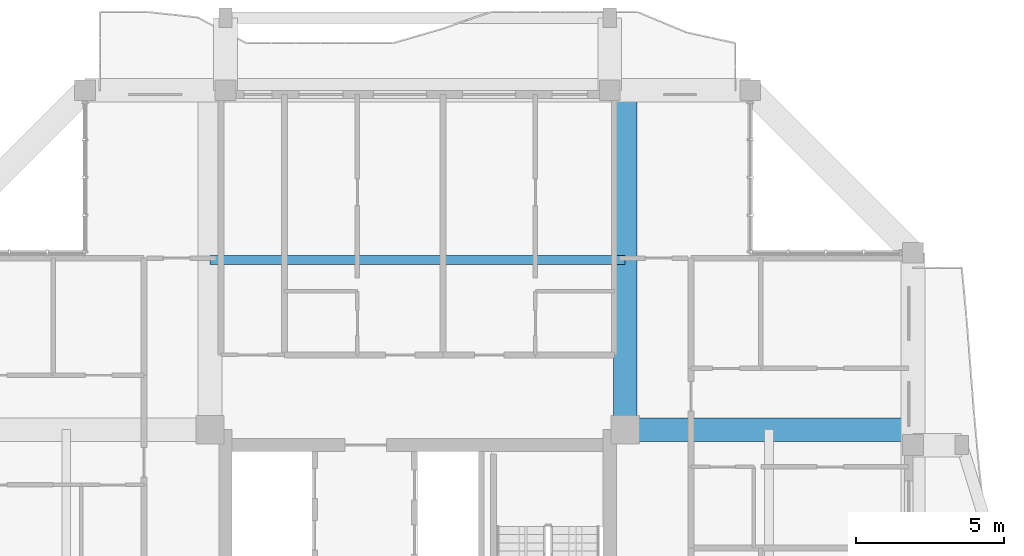
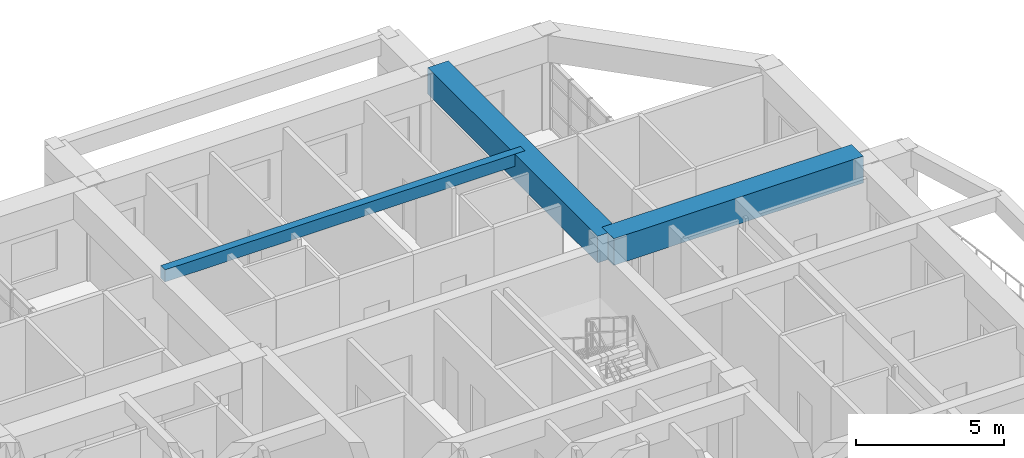
# One storey, part 9 of 27: 3 beams.
"""IFC4 building model written with IfcOpenShell, lengths in metres."""

from ifc_helpers import new_model, si_unit, direction, frame, origin, origin_2d, place, context, subcontext, project, spatial, rectangle, extrude, source, transform, mapped, material, material_profile, profile_set, type_object, element, save


model = new_model("IFC4")

# Units and contexts
model_context = context("Model", 3, precision=1e-05, world=origin(), true_north=direction((0.0, 1.0)))
body_context = subcontext(model_context, "Body", "Model", "MODEL_VIEW")
ifc_project = project(units=[si_unit("LENGTHUNIT", "METRE"), si_unit("AREAUNIT", "SQUARE_METRE"), si_unit("VOLUMEUNIT", "CUBIC_METRE"), si_unit("PLANEANGLEUNIT", "RADIAN"), si_unit("MASSUNIT", "GRAM", prefix="KILO")], contexts=[model_context])

# Site, building, storey
site_placement = place(None, origin())
site = spatial("IfcSite", under=ifc_project, at=site_placement, CompositionType="ELEMENT")
building_placement = place(site_placement, origin())
building = spatial("IfcBuilding", under=site, at=building_placement, Name="Saelheon Loggia Tower", CompositionType="ELEMENT")
storey_placement = place(building_placement, frame((0.0, 0.0, 226.199951171875)))
storey = spatial("IfcBuildingStorey", under=building, at=storey_placement, Name="L70", CompositionType="ELEMENT", Elevation=226.199951171875)

# Beams
ifc_material_1 = material(Name="Concrete C40/50", Category="concrete")
ifc_material_profile_1 = material_profile(ifc_material_1, rectangle(XDim=0.300048828125, YDim=0.5, at=origin_2d()), Name="RC-300x500")
ifc_profile_set_1 = profile_set([ifc_material_profile_1], Name="Concrete C40/50")
beam_type_1 = type_object("IfcBeamType", Name="Beam_Joist_RC300x500", PredefinedType="JOIST", material=ifc_profile_set_1)
shared_shape_1 = source(origin(), body_context, "Body", "SweptSolid", [
    extrude(rectangle(XDim=0.300048828125, YDim=0.5, at=origin_2d()), origin(), (0.0, 0.0, 1.0), 14.0400390625),
])
beam_1_placement = place(storey_placement, frame((30.97998046875, 42.260009765625, 3.650146484375), z_axis=(1.0, 0.0, 0.0), x_axis=(0.0, 1.0, 0.0)))
element("IfcBeam", 1, at=beam_1_placement, inside=storey, type_object=beam_type_1, Name="L70 North Floor Joist", PredefinedType="JOIST", context=body_context, shape_type="MappedRepresentation", body=[
    mapped(shared_shape_1, transform((0.0, 0.0, 0.0), scale=1.0)),
])
ifc_material_2 = material(Name="Concrete C50/60", Category="concrete")
ifc_material_profile_2 = material_profile(ifc_material_2, rectangle(XDim=0.800048828125, YDim=1.10009765625, at=origin_2d()), Name="RC-800x1100")
ifc_profile_set_2 = profile_set([ifc_material_profile_2], Name="Concrete C50/60")
beam_type_2 = type_object("IfcBeamType", Name="Beam_SetbackTransfer_RC800x1100", PredefinedType="BEAM", material=ifc_profile_set_2)
shared_shape_2 = source(origin(), body_context, "Body", "SweptSolid", [
    extrude(rectangle(XDim=0.800048828125, YDim=1.10009765625, at=origin_2d()), origin(), (0.0, 0.0, 1.0), 11.47998046875),
])
beam_2_placement = place(storey_placement, frame((45.02001953125, 36.52001953125, 3.35009765625), z_axis=(0.0, 1.0, 0.0), x_axis=(-1.0, 0.0, 0.0)))
element("IfcBeam", 2, at=beam_2_placement, inside=storey, type_object=beam_type_2, Name="L70 Radial Floor Girder RAD-NE-N", PredefinedType="BEAM", context=body_context, shape_type="MappedRepresentation", body=[
    mapped(shared_shape_2, transform((0.0, 0.0, 0.0), scale=1.0)),
])
shared_shape_3 = source(origin(), body_context, "Body", "SweptSolid", [
    extrude(rectangle(XDim=0.800048828125, YDim=1.10009765625, at=origin_2d()), origin(), (0.0, 0.0, 1.0), 9.72998046875),
])
beam_3_placement = place(storey_placement, frame((45.02001953125, 36.52001953125, 3.35009765625), z_axis=(1.0, 0.0, 0.0), x_axis=(0.0, 1.0, 0.0)))
element("IfcBeam", 3, at=beam_3_placement, inside=storey, type_object=beam_type_2, Name="L70 Radial Floor Girder RAD-NE-E", PredefinedType="BEAM", context=body_context, shape_type="MappedRepresentation", body=[
    mapped(shared_shape_3, transform((0.0, 0.0, 0.0), scale=1.0)),
])

save(model, "model.ifc")
